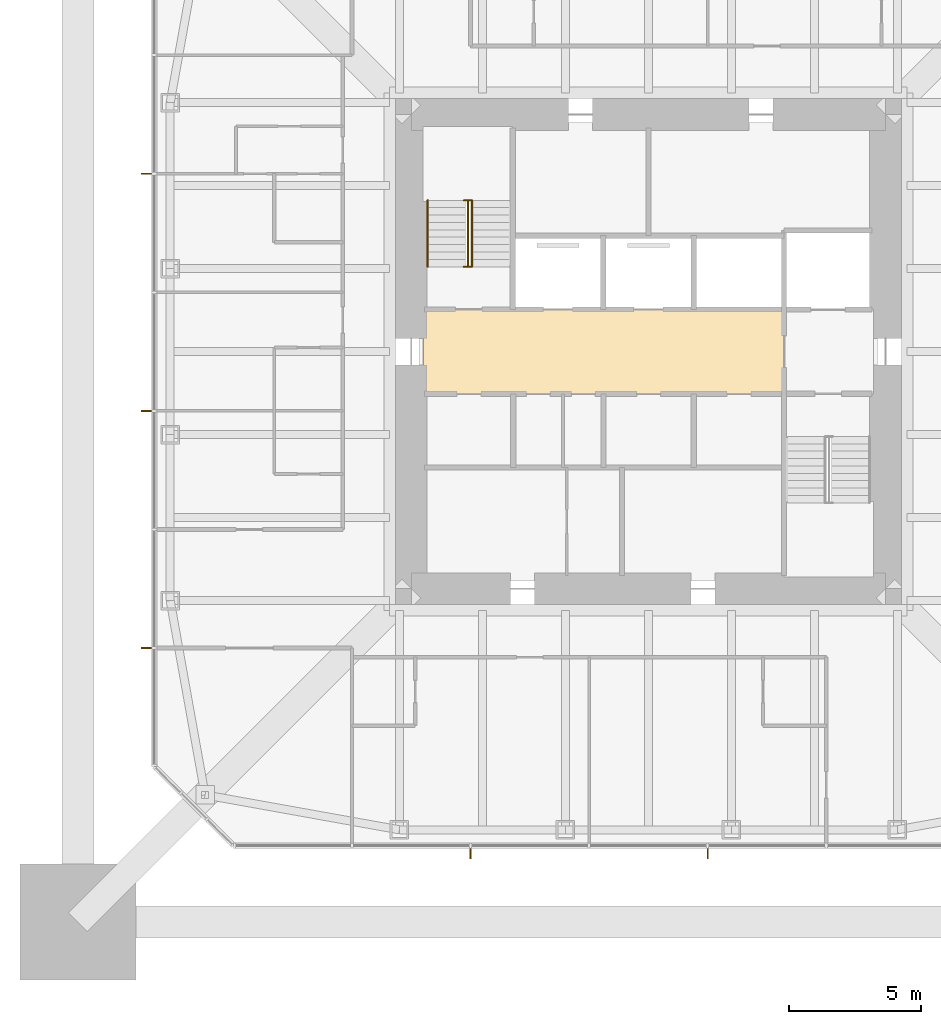
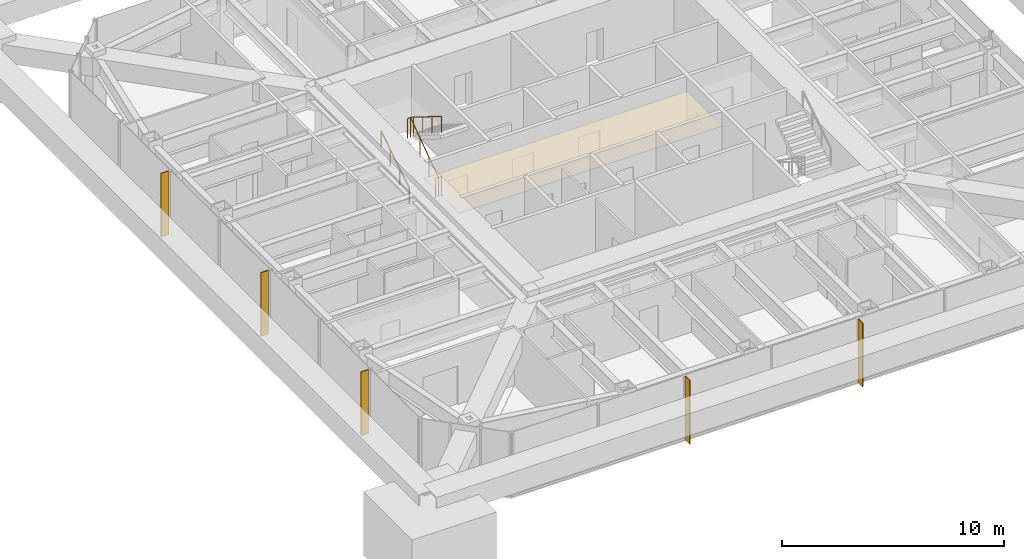
# One storey, part 13 of 15: 5 shading devices, 3 railings, 1 covering.
"""IFC4 building model written with IfcOpenShell, lengths in metres."""

from ifc_helpers import new_model, si_unit, direction, frame, origin, origin_2d, place, context, subcontext, project, spatial, polyline, rectangle, circle, outline, extrude, material, layer, layer_set, constituent, constituent_set, type_object, element, save


model = new_model("IFC4")

# Units and contexts
model_context = context("Model", 3, precision=1e-05, world=origin(), true_north=direction((0.0, 1.0)))
body_context = subcontext(model_context, "Body", "Model", "MODEL_VIEW")
ifc_project = project(units=[si_unit("LENGTHUNIT", "METRE"), si_unit("AREAUNIT", "SQUARE_METRE"), si_unit("VOLUMEUNIT", "CUBIC_METRE"), si_unit("PLANEANGLEUNIT", "RADIAN"), si_unit("MASSUNIT", "GRAM", prefix="KILO")], contexts=[model_context])

# Site, building, storey
site_placement = place(None, origin())
site = spatial("IfcSite", under=ifc_project, at=site_placement, CompositionType="ELEMENT")
building_placement = place(site_placement, origin())
building = spatial("IfcBuilding", under=site, at=building_placement, Name="Iwan Alto Co-Living Towers", CompositionType="ELEMENT")
storey_placement = place(building_placement, frame((0.0, 0.0, 205.5)))
storey = spatial("IfcBuildingStorey", under=building, at=storey_placement, Name="L56", CompositionType="ELEMENT", Elevation=205.5)

# Covering
ifc_material_1 = material(Name="Mineral fibre acoustic tiles on steel grid", Category="steel")
ifc_layer_1 = layer(ifc_material_1, 0.02001953125)
ifc_layer_set_1 = layer_set([ifc_layer_1], Name="ACOUSTIC TILE CEILING 20")
covering_type = type_object("IfcCoveringType", Name="ACOUSTIC TILE CEILING 20", PredefinedType="CEILING", material=ifc_layer_set_1)
covering_placement = place(storey_placement, frame((0.0, 0.0, 2.60009765625)))
element("IfcCovering", 1, at=covering_placement, inside=storey, type_object=covering_type, Name="Ceiling Lift lobby L56", PredefinedType="CEILING", context=body_context, shape_type="SweptSolid", body=[
    extrude(outline(polyline([(-8.550048828125, -1.60009765625), (-8.550048828125, 1.60009765625), (5.14990234375, 1.60009765625), (5.14990234375, -1.60009765625), (-8.550048828125, -1.60009765625)])), origin(), (0.0, 0.0, 1.0), 0.02001953125),
])

# Shading devices
ifc_material_2 = material(Name="Aluminium 6063-T6 bronze anodised", Category="aluminium")
ifc_layer_2 = layer(ifc_material_2, 0.050048828125)
ifc_layer_set_2 = layer_set([ifc_layer_2], Name="BRONZE FIN 50X400")
shading_device_type = type_object("IfcShadingDeviceType", Name="BRONZE FIN 50X400", PredefinedType="USERDEFINED", material=ifc_layer_set_2)
for number, where, z_axis, x_axis, name in (
    (2, (-6.75, -19.050048828125, 0.0), (0.0, 0.0, 1.0), (1.0, 0.0, 0.0), "Bronze fin L56"),
    (3, (2.25, -19.050048828125, 0.0), (0.0, 0.0, 1.0), (1.0, 0.0, 0.0), "Bronze fin L56"),
    (4, (-19.050048828125, 6.75, 0.0), (0.0, 0.0, 1.0), (0.0, -1.0, 0.0), "Bronze fin L56"),
    (5, (-19.050048828125, -2.25, 0.0), (0.0, 0.0, 1.0), (0.0, -1.0, 0.0), "Bronze fin L56"),
    (6, (-19.050048828125, -11.25, 0.0), (0.0, 0.0, 1.0), (0.0, -1.0, 0.0), "Bronze fin L56"),
):
    element("IfcShadingDevice", number, at=place(storey_placement, frame(where, z_axis=z_axis, x_axis=x_axis)), inside=storey, type_object=shading_device_type, Name=name, ObjectType="LOUVER", PredefinedType="USERDEFINED", context=body_context, shape_type="SweptSolid", body=[
        extrude(rectangle(XDim=0.050048828125, YDim=0.39990234375, at=origin_2d()), origin(), (0.0, 0.0, 1.0), 3.5),
    ])

# Railings
ifc_material_3 = material(Name="Steel ASTM A500 Gr C", Category="steel")
ifc_constituent_1 = constituent(ifc_material_3, Name="Rails and posts", Category="Framing")
ifc_material_4 = material(Name="Steel ASTM A36", Category="steel")
ifc_constituent_2 = constituent(ifc_material_4, Name="Bar infill", Category="Infill")
ifc_constituent_set = constituent_set(constituents=[ifc_constituent_1, ifc_constituent_2], Name="STAIR GUARD 1100")
railing_type_1 = type_object("IfcRailingType", Name="STAIR GUARD 1100", PredefinedType="GUARDRAIL", material=ifc_constituent_set)
railing_1_placement = place(storey_placement, frame((-6.85009765625, 3.219970703125, 0.0)))
element("IfcRailing", 7, at=railing_1_placement, inside=storey, type_object=railing_type_1, Name="Stair T1-S1 well guard L56", PredefinedType="GUARDRAIL", context=body_context, shape_type="SweptSolid", body=[
    extrude(circle(Radius=0.02392578125, at=origin_2d()), frame((0.0, 0.0, 1.076171875), z_axis=(0.0, 0.821372036852, 0.570392826987), x_axis=(-1.0, 0.0, 0.0)), (0.0, 0.0, 1.0), 3.068115234375),
    extrude(circle(Radius=0.02392578125, at=origin_2d()), frame((-0.14990234375, 0.0, 1.076171875), z_axis=(1.0, 0.0, 0.0), x_axis=(0.0, 1.0, 0.0)), (0.0, 0.0, 1.0), 0.300048828125),
    extrude(circle(Radius=0.02392578125, at=origin_2d()), frame((-0.14990234375, 2.52001953125, 2.826171875), z_axis=(1.0, 0.0, 0.0), x_axis=(0.0, 1.0, 0.0)), (0.0, 0.0, 1.0), 0.300048828125),
    extrude(circle(Radius=0.02099609375, at=origin_2d()), origin(), (0.0, 0.0, 1.0), 1.052001953125),
    extrude(circle(Radius=0.02099609375, at=origin_2d()), frame((0.0, 0.840087890625, 0.583251953125)), (0.0, 0.0, 1.0), 1.052001953125),
    extrude(circle(Radius=0.02099609375, at=origin_2d()), frame((0.0, 1.679931640625, 1.166748046875)), (0.0, 0.0, 1.0), 1.052001953125),
    extrude(circle(Radius=0.02099609375, at=origin_2d()), frame((0.0, 2.52001953125, 1.75)), (0.0, 0.0, 1.0), 1.052001953125),
    extrude(circle(Radius=0.02099609375, at=origin_2d()), frame((-0.14990234375, 0.0, 0.0)), (0.0, 0.0, 1.0), 1.052001953125),
    extrude(circle(Radius=0.02099609375, at=origin_2d()), frame((0.150146484375, 0.0, 0.0)), (0.0, 0.0, 1.0), 1.052001953125),
    extrude(circle(Radius=0.02099609375, at=origin_2d()), frame((-0.14990234375, 2.52001953125, 1.75)), (0.0, 0.0, 1.0), 1.052001953125),
    extrude(circle(Radius=0.02099609375, at=origin_2d()), frame((0.150146484375, 2.52001953125, 1.75)), (0.0, 0.0, 1.0), 1.052001953125),
])
ifc_material_5 = material(Name="Steel ASTM A500 Gr C", Category="steel")
railing_type_2 = type_object("IfcRailingType", Name="STAIR HANDRAIL 900", PredefinedType="HANDRAIL", material=ifc_material_5)
railing_2_placement = place(storey_placement, frame((-8.3798828125, 3.219970703125, 0.175048828125)))
element("IfcRailing", 8, at=railing_2_placement, inside=storey, type_object=railing_type_2, Name="Stair T1-S1 handrail 1 L56", PredefinedType="HANDRAIL", context=body_context, shape_type="SweptSolid", body=[
    extrude(circle(Radius=0.02392578125, at=origin_2d()), frame((0.0, 0.0, 0.8759765625), z_axis=(0.0, 0.848007534815, 0.529984170421), x_axis=(-1.0, 0.0, 0.0)), (0.0, 0.0, 1.0), 2.9716796875),
    extrude(circle(Radius=0.02099609375, at=origin_2d()), origin(), (0.0, 0.0, 1.0), 0.851806640625),
    extrude(circle(Radius=0.02099609375, at=origin_2d()), frame((0.0, 0.840087890625, 0.52490234375)), (0.0, 0.0, 1.0), 0.851806640625),
    extrude(circle(Radius=0.02099609375, at=origin_2d()), frame((0.0, 1.679931640625, 1.050048828125)), (0.0, 0.0, 1.0), 0.851806640625),
    extrude(circle(Radius=0.02099609375, at=origin_2d()), frame((0.0, 2.52001953125, 1.574951171875)), (0.0, 0.0, 1.0), 0.851806640625),
])
railing_3_placement = place(storey_placement, frame((-6.699951171875, 5.739990234375, 1.925048828125)))
element("IfcRailing", 9, at=railing_3_placement, inside=storey, type_object=railing_type_2, Name="Stair T1-S1 handrail 2 L56", PredefinedType="HANDRAIL", context=body_context, shape_type="SweptSolid", body=[
    extrude(circle(Radius=0.02392578125, at=origin_2d()), frame((0.0, 0.0, 0.8759765625), z_axis=(0.0, -0.848007534815, 0.529984170421), x_axis=(1.0, 0.0, 0.0)), (0.0, 0.0, 1.0), 2.9716796875),
    extrude(circle(Radius=0.02099609375, at=origin_2d()), origin(), (0.0, 0.0, 1.0), 0.851806640625),
    extrude(circle(Radius=0.02099609375, at=origin_2d()), frame((0.0, -0.840087890625, 0.52490234375)), (0.0, 0.0, 1.0), 0.851806640625),
    extrude(circle(Radius=0.02099609375, at=origin_2d()), frame((0.0, -1.679931640625, 1.050048828125)), (0.0, 0.0, 1.0), 0.851806640625),
    extrude(circle(Radius=0.02099609375, at=origin_2d()), frame((0.0, -2.52001953125, 1.574951171875)), (0.0, 0.0, 1.0), 0.851806640625),
])

save(model, "model.ifc")
